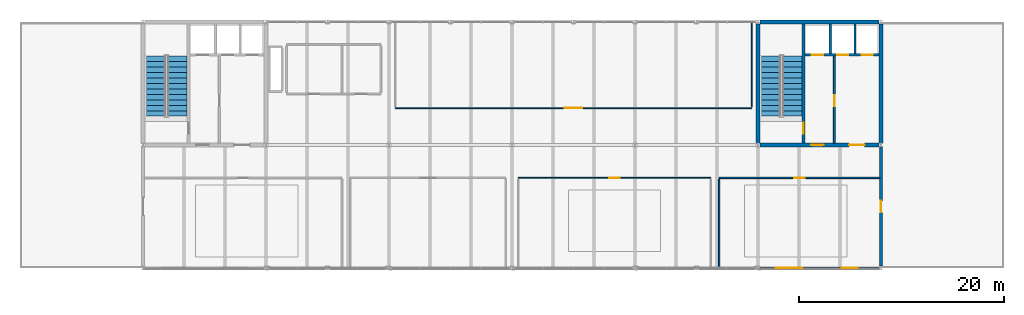
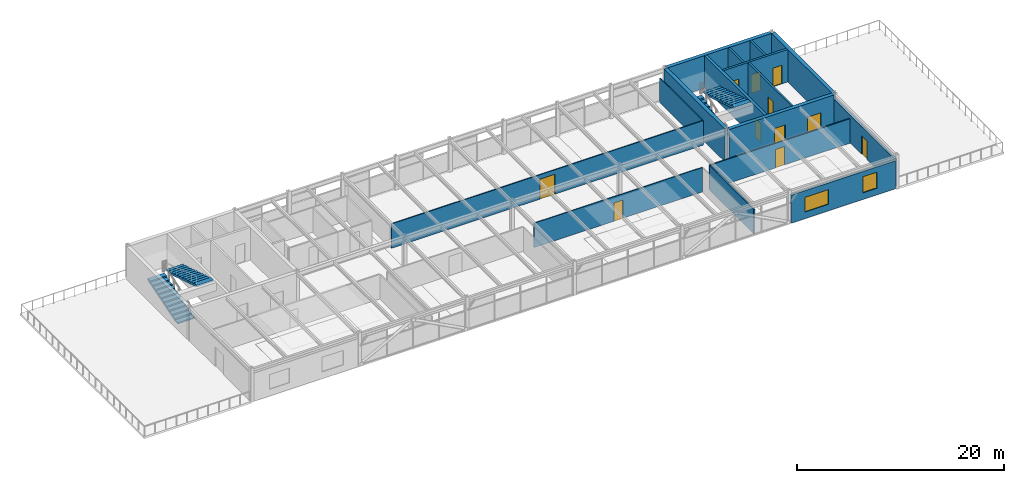
# One storey, part 28 of 32: 16 walls, 11 doors, 4 stair flights, 2 windows, 13 openings, 2 elements without a shape of their own.
"""IFC4 building model written with IfcOpenShell, lengths in metres."""

from ifc_helpers import new_model, si_unit, direction, frame, frame_2d, origin, place, context, subcontext, project, spatial, polyline, rectangle, outline, extrude, material, layer, layer_set, type_object, element, fill, aggregate, save


model = new_model("IFC4")

# Units and contexts
model_context = context("Model", 3, precision=1e-05, world=origin(), true_north=direction((0.0, 1.0)))
body_context = subcontext(model_context, "Body", "Model", "MODEL_VIEW")
ifc_project = project(units=[si_unit("LENGTHUNIT", "METRE"), si_unit("AREAUNIT", "SQUARE_METRE"), si_unit("VOLUMEUNIT", "CUBIC_METRE"), si_unit("PLANEANGLEUNIT", "RADIAN"), si_unit("MASSUNIT", "GRAM", prefix="KILO")], contexts=[model_context])

# Site, building, storey
site_placement = place(None, origin())
site = spatial("IfcSite", under=ifc_project, at=site_placement, CompositionType="ELEMENT")
building_placement = place(site_placement, origin())
building = spatial("IfcBuilding", under=site, at=building_placement, Name="Girod Span Mobility Hub", CompositionType="ELEMENT")
storey_placement = place(building_placement, frame((0.0, 0.0, 61.60009765625)))
storey = spatial("IfcBuildingStorey", under=building, at=storey_placement, Name="L15", CompositionType="ELEMENT", Elevation=61.60009765625)

# Wall, openings, doors
ifc_material_1 = material(Name="Concrete C40/50", Category="concrete")
ifc_layer_1 = layer(ifc_material_1, 0.39990234375)
ifc_layer_set_1 = layer_set([ifc_layer_1], Name="Concrete C40/50")
wall_type_1 = type_object("IfcWallType", Name="W-CW-400", PredefinedType="SHEAR", material=ifc_layer_set_1)
wall_1_placement = place(storey_placement, frame((108.181396484375, 57.0, 0.0), z_axis=(0.0, 0.0, 1.0), x_axis=(1.0, 0.0, 0.0)))
wall_1 = element("IfcWall", 1, at=wall_1_placement, inside=storey, type_object=wall_type_1, Name="Core C2 Shear Wall S L15", PredefinedType="SHEAR", context=body_context, shape_type="SweptSolid", body=[
    extrude(rectangle(XDim=11.63720703125, YDim=0.39990234375, at=frame_2d((5.818603515625, 0.0))), origin(), (0.0, 0.0, 1.0), 3.843017578125),
])
opening_1_placement = place(wall_1_placement, frame((5.01904296875, 0.0, 0.0)))
opening_1 = element("IfcOpeningElement", 2, at=opening_1_placement, cuts=wall_1, Name="Opening D-FL-C2-L15", PredefinedType="OPENING", context=body_context, shape_type="SweptSolid", body=[
    extrude(rectangle(XDim=1.199951171875, YDim=2.199951171875, at=frame_2d((0.60009765625, 1.10009765625))), frame((0.0, 0.21484375, 0.0), z_axis=(0.0, -1.0, 0.0), x_axis=(1.0, 0.0, 0.0)), (0.0, 0.0, 1.0), 0.429931640625),
])
opening_2_placement = place(wall_1_placement, frame((8.718994140625, 0.0, 0.0)))
opening_2 = element("IfcOpeningElement", 3, at=opening_2_placement, cuts=wall_1, Name="Opening D-LB-C2-L15", PredefinedType="OPENING", context=body_context, shape_type="SweptSolid", body=[
    extrude(rectangle(XDim=1.5, YDim=2.25, at=frame_2d((0.75, 1.125))), frame((0.0, 0.21484375, 0.0), z_axis=(0.0, -1.0, 0.0), x_axis=(1.0, 0.0, 0.0)), (0.0, 0.0, 1.0), 0.429931640625),
])
ifc_material_2 = material(Name="Fire-Rated Insulated Hollow Metal Steel", Category="steel")
door_type_1 = type_object("IfcDoorType", Name="DT-FD-03", OperationType="DOUBLE_DOOR_SINGLE_SWING", PredefinedType="DOOR", material=ifc_material_2)
door_1_placement = place(opening_2_placement, origin())
door_1 = element("IfcDoor", 4, at=door_1_placement, inside=storey, type_object=door_type_1, Name="Lift Lobby Entry Door C2 L15", OperationType="DOUBLE_DOOR_SINGLE_SWING", OverallHeight=2.25, OverallWidth=1.5, PredefinedType="DOOR", context=body_context, shape_type="SweptSolid", body=[
    extrude(rectangle(XDim=1.5, YDim=2.25, at=frame_2d((0.75, 1.125))), frame((0.0, 0.02490234375, 0.0), z_axis=(0.0, -1.0, 0.0), x_axis=(1.0, 0.0, 0.0)), (0.0, 0.0, 1.0), 0.050048828125),
])
fill(opening_2, door_1)
ifc_material_3 = material(Name="Fire-Rated Insulated Hollow Metal Steel", Category="steel")
door_type_2 = type_object("IfcDoorType", Name="DT-FD-05", OperationType="NOTDEFINED", PredefinedType="DOOR", material=ifc_material_3)
door_2_placement = place(opening_1_placement, origin())
door_2 = element("IfcDoor", 5, at=door_2_placement, inside=storey, type_object=door_type_2, Name="Firefighting Lobby Entry Door C2 L15", OperationType="SINGLE_SWING_RIGHT", OverallHeight=2.199951171875, OverallWidth=1.199951171875, PredefinedType="DOOR", context=body_context, shape_type="SweptSolid", body=[
    extrude(rectangle(XDim=1.199951171875, YDim=2.199951171875, at=frame_2d((0.60009765625, 1.10009765625))), frame((0.0, 0.02490234375, 0.0), z_axis=(0.0, -1.0, 0.0), x_axis=(1.0, 0.0, 0.0)), (0.0, 0.0, 1.0), 0.050048828125),
])
fill(opening_1, door_2)

# Walls
wall_2_placement = place(storey_placement, frame((108.181396484375, 69.0, 0.0), z_axis=(0.0, 0.0, 1.0), x_axis=(1.0, 0.0, 0.0)))
element("IfcWall", 6, at=wall_2_placement, inside=storey, type_object=wall_type_1, Name="Core C2 Shear Wall N L15", PredefinedType="SHEAR", context=body_context, shape_type="SweptSolid", body=[
    extrude(rectangle(XDim=11.63720703125, YDim=0.39990234375, at=frame_2d((5.818603515625, 0.0))), origin(), (0.0, 0.0, 1.0), 3.843017578125),
])
for number, where, z_axis, x_axis, name in (
    (7, (108.0, 57.175048828125, 0.0), (0.0, 0.0, 1.0), (0.0, 1.0, 0.0), "Core C2 Shear Wall W L15"),
    (8, (120.0, 57.175048828125, 0.0), (0.0, 0.0, 1.0), (0.0, 1.0, 0.0), "Core C2 Shear Wall E L15"),
):
    element("IfcWall", number, at=place(storey_placement, frame(where, z_axis=z_axis, x_axis=x_axis)), inside=storey, type_object=wall_type_1, Name=name, PredefinedType="SHEAR", context=body_context, shape_type="SweptSolid", body=[
        extrude(rectangle(XDim=11.64990234375, YDim=0.39990234375, at=frame_2d((5.824951171875, 0.0))), origin(), (0.0, 0.0, 1.0), 3.843017578125),
    ])

# Wall, openings, windows
ifc_material_4 = material(Name="Precast Architectural Concrete C40/50", Category="concrete")
ifc_layer_2 = layer(ifc_material_4, 0.235107421875)
ifc_layer_set_2 = layer_set([ifc_layer_2], Name="Precast Architectural Concrete C40/50")
wall_type_2 = type_object("IfcWallType", Name="W-EXT-235", PredefinedType="SOLIDWALL", material=ifc_layer_set_2)
wall_3_placement = place(storey_placement, frame((108.1826171875, 45.0, 0.0), z_axis=(0.0, 0.0, 1.0), x_axis=(1.0, 0.0, 0.0)))
wall_3 = element("IfcWall", 9, at=wall_3_placement, inside=storey, type_object=wall_type_2, Name="Office Insulated Facade Wall S-10 L15", PredefinedType="SOLIDWALL", context=body_context, shape_type="SweptSolid", body=[
    extrude(rectangle(XDim=11.634765625, YDim=0.235107421875, at=frame_2d((5.8173828125, 0.0))), origin(), (0.0, 0.0, 1.0), 3.2958984375),
])
opening_3_placement = place(wall_3_placement, frame((1.56005859375, 0.0, 0.780029296875)))
opening_3 = element("IfcOpeningElement", 10, at=opening_3_placement, cuts=wall_3, Name="Opening W-L15-S9A", PredefinedType="OPENING", context=body_context, shape_type="SweptSolid", body=[
    extrude(rectangle(XDim=2.580078125, YDim=1.739990234375, at=frame_2d((1.2900390625, 0.8701171875))), frame((0.0, 0.132568359375, 0.0), z_axis=(0.0, -1.0, 0.0), x_axis=(1.0, 0.0, 0.0)), (0.0, 0.0, 1.0), 0.26513671875),
])
opening_4_placement = place(wall_3_placement, frame((8.0048828125, 0.0, 0.780029296875)))
opening_4 = element("IfcOpeningElement", 11, at=opening_4_placement, cuts=wall_3, Name="Opening W-L15-S9B", PredefinedType="OPENING", context=body_context, shape_type="SweptSolid", body=[
    extrude(rectangle(XDim=1.56005859375, YDim=1.89990234375, at=frame_2d((0.780029296875, 0.949951171875))), frame((0.0, 0.132568359375, 0.0), z_axis=(0.0, -1.0, 0.0), x_axis=(1.0, 0.0, 0.0)), (0.0, 0.0, 1.0), 0.26513671875),
])
ifc_material_5 = material(Name="Double Low-E Insulated Glazing", Category="glass")
window_type_1 = type_object("IfcWindowType", Name="WN-38", PartitioningType="DOUBLE_PANEL_VERTICAL", PredefinedType="WINDOW", material=ifc_material_5)
window_1_placement = place(opening_3_placement, origin())
window_1 = element("IfcWindow", 12, at=window_1_placement, inside=storey, type_object=window_type_1, Name="Office Window WN-38", OverallHeight=1.739990234375, OverallWidth=2.580078125, PartitioningType="DOUBLE_PANEL_VERTICAL", PredefinedType="WINDOW", context=body_context, shape_type="SweptSolid", body=[
    extrude(rectangle(XDim=2.580078125, YDim=1.739990234375, at=frame_2d((1.2900390625, 0.8701171875))), frame((0.0, 0.030029296875, 0.0), z_axis=(0.0, -1.0, 0.0), x_axis=(1.0, 0.0, 0.0)), (0.0, 0.0, 1.0), 0.06005859375),
])
fill(opening_3, window_1)
ifc_material_6 = material(Name="Double Low-E Insulated Glazing", Category="glass")
window_type_2 = type_object("IfcWindowType", Name="WN-39", PartitioningType="SINGLE_PANEL", PredefinedType="WINDOW", material=ifc_material_6)
window_2_placement = place(opening_4_placement, origin())
window_2 = element("IfcWindow", 13, at=window_2_placement, inside=storey, type_object=window_type_2, Name="Office Window WN-39", OverallHeight=1.89990234375, OverallWidth=1.56005859375, PartitioningType="SINGLE_PANEL", PredefinedType="WINDOW", context=body_context, shape_type="SweptSolid", body=[
    extrude(rectangle(XDim=1.56005859375, YDim=1.89990234375, at=frame_2d((0.780029296875, 0.949951171875))), frame((0.0, 0.030029296875, 0.0), z_axis=(0.0, -1.0, 0.0), x_axis=(1.0, 0.0, 0.0)), (0.0, 0.0, 1.0), 0.06005859375),
])
fill(opening_4, window_2)

# Wall, opening, door
ifc_material_7 = material(Name="Precast Architectural Concrete C40/50", Category="concrete")
ifc_layer_3 = layer(ifc_material_7, 0.27001953125)
ifc_layer_set_3 = layer_set([ifc_layer_3], Name="Precast Architectural Concrete C40/50")
wall_type_3 = type_object("IfcWallType", Name="W-EXT-270", PredefinedType="SOLIDWALL", material=ifc_layer_set_3)
wall_4_placement = place(storey_placement, frame((120.0, 45.176025390625, 0.0), z_axis=(0.0, 0.0, 1.0), x_axis=(0.0, 1.0, 0.0)))
wall_4 = element("IfcWall", 14, at=wall_4_placement, inside=storey, type_object=wall_type_3, Name="L15 E Sky Terrace Wall", PredefinedType="SOLIDWALL", context=body_context, shape_type="SweptSolid", body=[
    extrude(rectangle(XDim=11.64794921875, YDim=0.27001953125, at=frame_2d((5.823974609375, 0.0))), origin(), (0.0, 0.0, 1.0), 3.2958984375),
])
opening_5_placement = place(wall_4_placement, frame((5.263916015625, 0.0, 0.0)))
opening_5 = element("IfcOpeningElement", 15, at=opening_5_placement, cuts=wall_4, Name="Opening D-L15-ET", PredefinedType="OPENING", context=body_context, shape_type="SweptSolid", body=[
    extrude(rectangle(XDim=1.1201171875, YDim=2.179931640625, at=frame_2d((0.56005859375, 1.08984375))), frame((0.0, 0.14990234375, 0.0), z_axis=(0.0, -1.0, 0.0), x_axis=(1.0, 0.0, 0.0)), (0.0, 0.0, 1.0), 0.300048828125),
])
ifc_material_8 = material(Name="Thermally Broken Anodised Aluminium", Category="aluminium")
door_type_3 = type_object("IfcDoorType", Name="DR-EXT-06", OperationType="NOTDEFINED", PredefinedType="DOOR", material=ifc_material_8)
door_3_placement = place(opening_5_placement, origin())
door_3 = element("IfcDoor", 16, at=door_3_placement, inside=storey, type_object=door_type_3, Name="L15 E Sky Terrace Door", OperationType="SINGLE_SWING_LEFT", OverallHeight=2.179931640625, OverallWidth=1.1201171875, PredefinedType="DOOR", context=body_context, shape_type="SweptSolid", body=[
    extrude(rectangle(XDim=1.1201171875, YDim=2.179931640625, at=frame_2d((0.56005859375, 1.08984375))), frame((0.0, 0.02490234375, 0.0), z_axis=(0.0, -1.0, 0.0), x_axis=(1.0, 0.0, 0.0)), (0.0, 0.0, 1.0), 0.050048828125),
])
fill(opening_5, door_3)

ifc_material_9 = material(Name="Concrete C40/50", Category="concrete")
ifc_layer_4 = layer(ifc_material_9, 0.18994140625)
ifc_layer_set_4 = layer_set([ifc_layer_4], Name="Concrete C40/50")
wall_type_4 = type_object("IfcWallType", Name="W-FL-190", PredefinedType="SOLIDWALL", material=ifc_layer_set_4)
wall_5_placement = place(storey_placement, frame((115.449951171875, 57.199951171875, 0.0), z_axis=(0.0, 0.0, 1.0), x_axis=(0.0, 1.0, 0.0)))
wall_5 = element("IfcWall", 17, at=wall_5_placement, inside=storey, type_object=wall_type_4, Name="Core C2 Firefighting Lobby Wall L15", PredefinedType="SOLIDWALL", context=body_context, shape_type="SweptSolid", body=[
    extrude(rectangle(XDim=8.47998046875, YDim=0.18994140625, at=frame_2d((4.239990234375, 0.0))), origin(), (0.0, 0.0, 1.0), 3.8330078125),
])
opening_6_placement = place(wall_5_placement, frame((3.60009765625, 0.0, 0.0)))
opening_6 = element("IfcOpeningElement", 18, at=opening_6_placement, cuts=wall_5, Name="Opening D-FLX-C2-L15", PredefinedType="OPENING", context=body_context, shape_type="SweptSolid", body=[
    extrude(rectangle(XDim=1.0400390625, YDim=2.179931640625, at=frame_2d((0.52001953125, 1.08984375))), frame((0.0, 0.10986328125, 0.0), z_axis=(0.0, -1.0, 0.0), x_axis=(1.0, 0.0, 0.0)), (0.0, 0.0, 1.0), 0.219970703125),
])
ifc_material_10 = material(Name="Fire-Rated Insulated Hollow Metal Steel", Category="steel")
door_type_4 = type_object("IfcDoorType", Name="DT-FD-02", OperationType="NOTDEFINED", PredefinedType="DOOR", material=ifc_material_10)
door_4_placement = place(opening_6_placement, origin())
door_4 = element("IfcDoor", 19, at=door_4_placement, inside=storey, type_object=door_type_4, Name="Firefighting Lobby Interconnect Door C2 L15", OperationType="SINGLE_SWING_RIGHT", OverallHeight=2.179931640625, OverallWidth=1.0400390625, PredefinedType="DOOR", context=body_context, shape_type="SweptSolid", body=[
    extrude(rectangle(XDim=1.0400390625, YDim=2.179931640625, at=frame_2d((0.52001953125, 1.08984375))), frame((0.0, 0.02490234375, 0.0), z_axis=(0.0, -1.0, 0.0), x_axis=(1.0, 0.0, 0.0)), (0.0, 0.0, 1.0), 0.050048828125),
])
fill(opening_6, door_4)

ifc_material_11 = material(Name="Fire-Rated Gypsum Board on Metal Studs", Category="gypsum")
ifc_layer_5 = layer(ifc_material_11, 0.097900390625)
ifc_layer_set_5 = layer_set([ifc_layer_5], Name="Fire-Rated Gypsum Board on Metal Studs")
wall_type_5 = type_object("IfcWallType", Name="W-PT-098", PredefinedType="PARTITIONING", material=ifc_layer_set_5)
wall_6_placement = place(storey_placement, frame((84.60009765625, 53.800048828125, 0.0), z_axis=(0.0, 0.0, 1.0), x_axis=(1.0, 0.0, 0.0)))
wall_6 = element("IfcWall", 20, at=wall_6_placement, inside=storey, type_object=wall_type_5, Name="Planning Studio Crown L15 Partition N", PredefinedType="PARTITIONING", context=body_context, shape_type="SweptSolid", body=[
    extrude(rectangle(XDim=18.7998046875, YDim=0.097900390625, at=frame_2d((9.39990234375, 0.0))), origin(), (0.0, 0.0, 1.0), 2.8798828125),
])
opening_7_placement = place(wall_6_placement, frame((8.905029296875, 0.0, 0.0)))
opening_7 = element("IfcOpeningElement", 21, at=opening_7_placement, cuts=wall_6, Name="Opening D-L15-OFF-CE1", PredefinedType="OPENING", context=body_context, shape_type="SweptSolid", body=[
    extrude(rectangle(XDim=0.989990234375, YDim=2.14990234375, at=frame_2d((0.4951171875, 1.074951171875))), frame((0.0, 0.06396484375, 0.0), z_axis=(0.0, -1.0, 0.0), x_axis=(1.0, 0.0, 0.0)), (0.0, 0.0, 1.0), 0.1279296875),
])
ifc_material_12 = material(Name="Solid-Core Architectural Timber", Category="wood")
door_type_5 = type_object("IfcDoorType", Name="DT-NR-03", OperationType="NOTDEFINED", PredefinedType="DOOR", material=ifc_material_12)
door_5_placement = place(opening_7_placement, origin())
door_5 = element("IfcDoor", 22, at=door_5_placement, inside=storey, type_object=door_type_5, Name="Planning Studio Crown L15 Door", OperationType="SINGLE_SWING_LEFT", OverallHeight=2.14990234375, OverallWidth=0.989990234375, PredefinedType="DOOR", context=body_context, shape_type="SweptSolid", body=[
    extrude(rectangle(XDim=0.989990234375, YDim=2.14990234375, at=frame_2d((0.4951171875, 1.074951171875))), frame((0.0, 0.02490234375, 0.0), z_axis=(0.0, -1.0, 0.0), x_axis=(1.0, 0.0, 0.0)), (0.0, 0.0, 1.0), 0.050048828125),
])
fill(opening_7, door_5)

ifc_material_13 = material(Name="Fire-Rated Gypsum Board on Metal Studs", Category="gypsum")
ifc_layer_6 = layer(ifc_material_13, 0.114990234375)
ifc_layer_set_6 = layer_set([ifc_layer_6], Name="Fire-Rated Gypsum Board on Metal Studs")
wall_type_6 = type_object("IfcWallType", Name="W-PT-115", PredefinedType="PARTITIONING", material=ifc_layer_set_6)
wall_7_placement = place(storey_placement, frame((72.60009765625, 60.60009765625, 0.0), z_axis=(0.0, 0.0, 1.0), x_axis=(1.0, 0.0, 0.0)))
wall_7 = element("IfcWall", 23, at=wall_7_placement, inside=storey, type_object=wall_type_6, Name="Executive Studio North L15 Partition S", PredefinedType="PARTITIONING", context=body_context, shape_type="SweptSolid", body=[
    extrude(rectangle(XDim=34.7998046875, YDim=0.114990234375, at=frame_2d((17.39990234375, 0.0))), origin(), (0.0, 0.0, 1.0), 2.8798828125),
])
opening_8_placement = place(wall_7_placement, frame((16.56494140625, 0.0, 0.0)))
opening_8 = element("IfcOpeningElement", 24, at=opening_8_placement, cuts=wall_7, Name="Opening D-L15-OFF-CN", PredefinedType="OPENING", context=body_context, shape_type="SweptSolid", body=[
    extrude(rectangle(XDim=1.669921875, YDim=2.35009765625, at=frame_2d((0.8349609375, 1.175048828125))), frame((0.0, 0.072509765625, 0.0), z_axis=(0.0, -1.0, 0.0), x_axis=(1.0, 0.0, 0.0)), (0.0, 0.0, 1.0), 0.14501953125),
])
ifc_material_14 = material(Name="Solid-Core Architectural Timber", Category="wood")
door_type_6 = type_object("IfcDoorType", Name="DT-NR-16", OperationType="DOUBLE_DOOR_SINGLE_SWING", PredefinedType="DOOR", material=ifc_material_14)
door_6_placement = place(opening_8_placement, origin())
door_6 = element("IfcDoor", 25, at=door_6_placement, inside=storey, type_object=door_type_6, Name="Executive Studio North L15 Door", OperationType="DOUBLE_DOOR_SINGLE_SWING", OverallHeight=2.35009765625, OverallWidth=1.669921875, PredefinedType="DOOR", context=body_context, shape_type="SweptSolid", body=[
    extrude(rectangle(XDim=1.669921875, YDim=2.35009765625, at=frame_2d((0.8349609375, 1.175048828125))), frame((0.0, 0.02490234375, 0.0), z_axis=(0.0, -1.0, 0.0), x_axis=(1.0, 0.0, 0.0)), (0.0, 0.0, 1.0), 0.050048828125),
])
fill(opening_8, door_6)

# Wall
wall_8_placement = place(storey_placement, frame((107.39990234375, 60.760009765625, 0.0), z_axis=(0.0, 0.0, 1.0), x_axis=(0.0, 1.0, 0.0)))
element("IfcWall", 26, at=wall_8_placement, inside=storey, type_object=wall_type_6, Name="Executive Studio North L15 Partition E", PredefinedType="PARTITIONING", context=body_context, shape_type="SweptSolid", body=[
    extrude(rectangle(XDim=8.10009765625, YDim=0.114990234375, at=frame_2d((4.050048828125, 0.0))), origin(), (0.0, 0.0, 1.0), 2.8798828125),
])

# Wall, opening, door
ifc_material_15 = material(Name="Fire-Rated Gypsum Board on Metal Studs", Category="gypsum")
ifc_layer_7 = layer(ifc_material_15, 0.139892578125)
ifc_layer_set_7 = layer_set([ifc_layer_7], Name="Fire-Rated Gypsum Board on Metal Studs")
wall_type_7 = type_object("IfcWallType", Name="W-PT-140", PredefinedType="PARTITIONING", material=ifc_layer_set_7)
wall_9_placement = place(storey_placement, frame((104.199951171875, 53.800048828125, 0.0), z_axis=(0.0, 0.0, 1.0), x_axis=(1.0, 0.0, 0.0)))
wall_9 = element("IfcWall", 27, at=wall_9_placement, inside=storey, type_object=wall_type_7, Name="Office Suite East L15 Partition N", PredefinedType="PARTITIONING", context=body_context, shape_type="SweptSolid", body=[
    extrude(rectangle(XDim=15.66015625, YDim=0.139892578125, at=frame_2d((7.830078125, 0.0))), origin(), (0.0, 0.0, 1.0), 2.8798828125),
])
opening_9_placement = place(wall_9_placement, frame((7.31494140625, 0.0, 0.0)))
opening_9 = element("IfcOpeningElement", 28, at=opening_9_placement, cuts=wall_9, Name="Opening D-L15-OFF-CE2", PredefinedType="OPENING", context=body_context, shape_type="SweptSolid", body=[
    extrude(rectangle(XDim=1.030029296875, YDim=2.169921875, at=frame_2d((0.51513671875, 1.0849609375))), frame((0.0, 0.0849609375, 0.0), z_axis=(0.0, -1.0, 0.0), x_axis=(1.0, 0.0, 0.0)), (0.0, 0.0, 1.0), 0.169921875),
])
ifc_material_16 = material(Name="Solid-Core Architectural Timber", Category="wood")
door_type_7 = type_object("IfcDoorType", Name="DT-NR-04", OperationType="NOTDEFINED", PredefinedType="DOOR", material=ifc_material_16)
door_7_placement = place(opening_9_placement, origin())
door_7 = element("IfcDoor", 29, at=door_7_placement, inside=storey, type_object=door_type_7, Name="Office Suite East L15 Door", OperationType="SINGLE_SWING_RIGHT", OverallHeight=2.169921875, OverallWidth=1.030029296875, PredefinedType="DOOR", context=body_context, shape_type="SweptSolid", body=[
    extrude(rectangle(XDim=1.030029296875, YDim=2.169921875, at=frame_2d((0.51513671875, 1.0849609375))), frame((0.0, 0.02490234375, 0.0), z_axis=(0.0, -1.0, 0.0), x_axis=(1.0, 0.0, 0.0)), (0.0, 0.0, 1.0), 0.050048828125),
])
fill(opening_9, door_7)

# Walls
wall_10_placement = place(storey_placement, frame((104.199951171875, 45.139892578125, 0.0), z_axis=(0.0, 0.0, 1.0), x_axis=(0.0, 1.0, 0.0)))
element("IfcWall", 30, at=wall_10_placement, inside=storey, type_object=wall_type_7, Name="Office Suite East L15 Partition W", PredefinedType="PARTITIONING", context=body_context, shape_type="SweptSolid", body=[
    extrude(rectangle(XDim=8.5, YDim=0.139892578125, at=frame_2d((4.25, 0.0))), origin(), (0.0, 0.0, 1.0), 2.8798828125),
])
ifc_material_17 = material(Name="Concrete C40/50", Category="concrete")
ifc_layer_8 = layer(ifc_material_17, 0.199951171875)
ifc_layer_set_8 = layer_set([ifc_layer_8], Name="Concrete C40/50")
wall_type_8 = type_object("IfcWallType", Name="W-SH-200", PredefinedType="SOLIDWALL", material=ifc_layer_set_8)
for number, where, z_axis, x_axis, name in (
    (31, (115.050048828125, 65.919921875, 0.0), (0.0, 0.0, 1.0), (0.0, 1.0, 0.0), "Core C2 Shaft Divider 1 L15"),
    (32, (117.47998046875, 65.919921875, 0.0), (0.0, 0.0, 1.0), (0.0, 1.0, 0.0), "Core C2 Shaft Divider 2 L15"),
):
    element("IfcWall", number, at=place(storey_placement, frame(where, z_axis=z_axis, x_axis=x_axis)), inside=storey, type_object=wall_type_8, Name=name, PredefinedType="SOLIDWALL", context=body_context, shape_type="SweptSolid", body=[
        extrude(rectangle(XDim=2.880126953125, YDim=0.199951171875, at=frame_2d((1.43994140625, 0.0))), origin(), (0.0, 0.0, 1.0), 3.8330078125),
    ])

# Wall, openings, doors
ifc_material_18 = material(Name="Concrete C40/50", Category="concrete")
ifc_layer_9 = layer(ifc_material_18, 0.25)
ifc_layer_set_9 = layer_set([ifc_layer_9], Name="Concrete C40/50")
wall_type_9 = type_object("IfcWallType", Name="W-SH-250", PredefinedType="SOLIDWALL", material=ifc_layer_set_9)
wall_11_placement = place(storey_placement, frame((112.596923828125, 65.800048828125, 0.0), z_axis=(0.0, 0.0, 1.0), x_axis=(1.0, 0.0, 0.0)))
wall_11 = element("IfcWall", 33, at=wall_11_placement, inside=storey, type_object=wall_type_9, Name="Core C2 Hoistway Front Wall L15", PredefinedType="SOLIDWALL", context=body_context, shape_type="SweptSolid", body=[
    extrude(rectangle(XDim=7.2060546875, YDim=0.25, at=frame_2d((3.60302734375, 0.0))), origin(), (0.0, 0.0, 1.0), 3.843017578125),
])
opening_10_placement = place(wall_11_placement, frame((0.653076171875, 0.0, 0.0)))
opening_10 = element("IfcOpeningElement", 34, at=opening_10_placement, cuts=wall_11, Name="Opening LD-FL-2-L15", PredefinedType="OPENING", context=body_context, shape_type="SweptSolid", body=[
    extrude(rectangle(XDim=1.10009765625, YDim=2.239990234375, at=frame_2d((0.550048828125, 1.1201171875))), frame((0.0, 0.139892578125, 0.0), z_axis=(0.0, -1.0, 0.0), x_axis=(1.0, 0.0, 0.0)), (0.0, 0.0, 1.0), 0.280029296875),
])
opening_11_placement = place(wall_11_placement, frame((3.153076171875, 0.0, 0.0)))
opening_11 = element("IfcOpeningElement", 35, at=opening_11_placement, cuts=wall_11, Name="Opening LD-LP-3-L15", PredefinedType="OPENING", context=body_context, shape_type="SweptSolid", body=[
    extrude(rectangle(XDim=1.050048828125, YDim=2.199951171875, at=frame_2d((0.52490234375, 1.10009765625))), frame((0.0, 0.139892578125, 0.0), z_axis=(0.0, -1.0, 0.0), x_axis=(1.0, 0.0, 0.0)), (0.0, 0.0, 1.0), 0.280029296875),
])
opening_12_placement = place(wall_11_placement, frame((5.528076171875, 0.0, 0.0)))
opening_12 = element("IfcOpeningElement", 36, at=opening_12_placement, cuts=wall_11, Name="Opening LD-LP-4-L15", PredefinedType="OPENING", context=body_context, shape_type="SweptSolid", body=[
    extrude(rectangle(XDim=1.050048828125, YDim=2.199951171875, at=frame_2d((0.52490234375, 1.10009765625))), frame((0.0, 0.139892578125, 0.0), z_axis=(0.0, -1.0, 0.0), x_axis=(1.0, 0.0, 0.0)), (0.0, 0.0, 1.0), 0.280029296875),
])
ifc_material_19 = material(Name="Brushed Stainless Steel Grade 304", Category="steel")
door_type_8 = type_object("IfcDoorType", Name="LD-FL-110", OperationType="SLIDING_TO_LEFT", PredefinedType="USERDEFINED", material=ifc_material_19)
door_8_placement = place(opening_10_placement, origin())
door_8 = element("IfcDoor", 37, at=door_8_placement, inside=storey, type_object=door_type_8, Name="Lift FL-2 Sliding Landing Door L15", ObjectType="LANDING DOOR", OperationType="SLIDING_TO_LEFT", OverallHeight=2.239990234375, OverallWidth=1.10009765625, PredefinedType="USERDEFINED", context=body_context, shape_type="SweptSolid", body=[
    extrude(rectangle(XDim=1.10009765625, YDim=2.239990234375, at=frame_2d((0.550048828125, 1.1201171875))), frame((0.0, 0.02490234375, 0.0), z_axis=(0.0, -1.0, 0.0), x_axis=(1.0, 0.0, 0.0)), (0.0, 0.0, 1.0), 0.050048828125),
])
fill(opening_10, door_8)
ifc_material_20 = material(Name="Brushed Stainless Steel Grade 304", Category="steel")
door_type_9 = type_object("IfcDoorType", Name="LD-LP-105", OperationType="SLIDING_TO_LEFT", PredefinedType="USERDEFINED", material=ifc_material_20)
door_9_placement = place(opening_11_placement, origin())
door_9 = element("IfcDoor", 38, at=door_9_placement, inside=storey, type_object=door_type_9, Name="Lift LP-3 Sliding Landing Door L15", ObjectType="LANDING DOOR", OperationType="SLIDING_TO_LEFT", OverallHeight=2.199951171875, OverallWidth=1.050048828125, PredefinedType="USERDEFINED", context=body_context, shape_type="SweptSolid", body=[
    extrude(rectangle(XDim=1.050048828125, YDim=2.199951171875, at=frame_2d((0.52490234375, 1.10009765625))), frame((0.0, 0.02490234375, 0.0), z_axis=(0.0, -1.0, 0.0), x_axis=(1.0, 0.0, 0.0)), (0.0, 0.0, 1.0), 0.050048828125),
])
fill(opening_11, door_9)
door_10_placement = place(opening_12_placement, origin())
door_10 = element("IfcDoor", 39, at=door_10_placement, inside=storey, type_object=door_type_9, Name="Lift LP-4 Sliding Landing Door L15", ObjectType="LANDING DOOR", OperationType="SLIDING_TO_LEFT", OverallHeight=2.199951171875, OverallWidth=1.050048828125, PredefinedType="USERDEFINED", context=body_context, shape_type="SweptSolid", body=[
    extrude(rectangle(XDim=1.050048828125, YDim=2.199951171875, at=frame_2d((0.52490234375, 1.10009765625))), frame((0.0, 0.02490234375, 0.0), z_axis=(0.0, -1.0, 0.0), x_axis=(1.0, 0.0, 0.0)), (0.0, 0.0, 1.0), 0.050048828125),
])
fill(opening_12, door_10)

# Wall, opening, door
ifc_material_21 = material(Name="Concrete C40/50", Category="concrete")
ifc_layer_10 = layer(ifc_material_21, 0.300048828125)
ifc_layer_set_10 = layer_set([ifc_layer_10], Name="Concrete C40/50")
wall_type_10 = type_object("IfcWallType", Name="W-SH-300", PredefinedType="SHEAR", material=ifc_layer_set_10)
wall_12_placement = place(storey_placement, frame((112.449951171875, 57.197021484375, 0.0), z_axis=(0.0, 0.0, 1.0), x_axis=(0.0, 1.0, 0.0)))
wall_12 = element("IfcWall", 40, at=wall_12_placement, inside=storey, type_object=wall_type_10, Name="Core C2 Stairwell Spine Wall L15", PredefinedType="SHEAR", context=body_context, shape_type="SweptSolid", body=[
    extrude(rectangle(XDim=11.60595703125, YDim=0.300048828125, at=frame_2d((5.802978515625, 0.0))), origin(), (0.0, 0.0, 1.0), 3.843017578125),
])
opening_13_placement = place(wall_12_placement, frame((0.89990234375, 0.0, 0.0)))
opening_13 = element("IfcOpeningElement", 41, at=opening_13_placement, cuts=wall_12, Name="Opening D-ST-2-L15", PredefinedType="OPENING", context=body_context, shape_type="SweptSolid", body=[
    extrude(rectangle(XDim=1.10009765625, YDim=2.199951171875, at=frame_2d((0.550048828125, 1.10009765625))), frame((0.0, 0.1650390625, 0.0), z_axis=(0.0, -1.0, 0.0), x_axis=(1.0, 0.0, 0.0)), (0.0, 0.0, 1.0), 0.330078125),
])
ifc_material_22 = material(Name="Fire-Rated Insulated Hollow Metal Steel", Category="steel")
door_type_10 = type_object("IfcDoorType", Name="DT-FD-01", OperationType="NOTDEFINED", PredefinedType="DOOR", material=ifc_material_22)
door_11_placement = place(opening_13_placement, origin())
door_11 = element("IfcDoor", 42, at=door_11_placement, inside=storey, type_object=door_type_10, Name="Stair ST-2 Fire Door L15", OperationType="SINGLE_SWING_LEFT", OverallHeight=2.199951171875, OverallWidth=1.10009765625, PredefinedType="DOOR", context=body_context, shape_type="SweptSolid", body=[
    extrude(rectangle(XDim=1.10009765625, YDim=2.199951171875, at=frame_2d((0.550048828125, 1.10009765625))), frame((0.0, 0.02490234375, 0.0), z_axis=(0.0, -1.0, 0.0), x_axis=(1.0, 0.0, 0.0)), (0.0, 0.0, 1.0), 0.050048828125),
])
fill(opening_13, door_11)

# Stair, stair flights
ifc_material_23 = material(Name="Concrete C40/50", Category="concrete")
stair_type = type_object("IfcStairType", Name="STR-4000-W1860", PredefinedType="HALF_TURN_STAIR", material=ifc_material_23)
stair_1_placement = place(storey_placement, origin())
stair_1 = element("IfcStair", 43, at=stair_1_placement, inside=storey, type_object=stair_type, Name="Exit Stair ST-1 L15", PredefinedType="HALF_TURN_STAIR")
ifc_material_24 = material(Name="Concrete C40/50", Category="concrete")
stair_flight_type = type_object("IfcStairFlightType", Name="STF-2000-W1860", PredefinedType="STRAIGHT", material=ifc_material_24)
stair_flight_1_placement = place(storey_placement, frame((49.25, 59.81005859375, 0.0), z_axis=(0.0, 0.0, 1.0), x_axis=(0.0, 1.0, 0.0)))
stair_flight_1 = element("IfcStairFlight", 44, at=stair_flight_1_placement, type_object=stair_flight_type, Name="Stair ST-1 Flight 1 L15", NumberOfRisers=12, NumberOfTreads=11, PredefinedType="STRAIGHT", RiserHeight=0.16667, TreadLength=0.53455, context=body_context, shape_type="SweptSolid", body=[
    extrude(outline(polyline([(0.0, 0.0), (0.0, 0.166748046875), (0.53466796875, 0.166748046875), (0.53466796875, 0.333251953125), (1.069091796875, 0.333251953125), (1.069091796875, 0.5), (1.603759765625, 0.5), (1.603759765625, 0.666748046875), (2.13818359375, 0.666748046875), (2.13818359375, 0.833251953125), (2.6728515625, 0.833251953125), (2.6728515625, 1.0), (3.207275390625, 1.0), (3.207275390625, 1.166748046875), (3.741943359375, 1.166748046875), (3.741943359375, 1.333251953125), (4.2763671875, 1.333251953125), (4.2763671875, 1.5), (4.81103515625, 1.5), (4.81103515625, 1.666748046875), (5.345458984375, 1.666748046875), (5.345458984375, 1.833251953125), (5.880126953125, 1.833251953125), (5.880126953125, 2.0), (5.880126953125, 1.634521484375), (0.63818359375, 0.0), (0.0, 0.0)])), frame((0.0, 0.93017578125, 0.0), z_axis=(0.0, -1.0, 0.0), x_axis=(1.0, 0.0, 0.0)), (0.0, 0.0, 1.0), 1.860107421875),
])
stair_flight_2_placement = place(storey_placement, frame((51.35009765625, 65.68994140625, 2.0), z_axis=(0.0, 0.0, 1.0), x_axis=(0.0, -1.0, 0.0)))
stair_flight_2 = element("IfcStairFlight", 45, at=stair_flight_2_placement, type_object=stair_flight_type, Name="Stair ST-1 Flight 2 L15", NumberOfRisers=12, NumberOfTreads=11, PredefinedType="STRAIGHT", RiserHeight=0.16667, TreadLength=0.53455, context=body_context, shape_type="SweptSolid", body=[
    extrude(outline(polyline([(0.0, 0.0), (0.0, 0.166748046875), (0.53466796875, 0.166748046875), (0.53466796875, 0.333251953125), (1.069091796875, 0.333251953125), (1.069091796875, 0.5), (1.603759765625, 0.5), (1.603759765625, 0.666748046875), (2.13818359375, 0.666748046875), (2.13818359375, 0.833251953125), (2.6728515625, 0.833251953125), (2.6728515625, 1.0), (3.207275390625, 1.0), (3.207275390625, 1.166748046875), (3.741943359375, 1.166748046875), (3.741943359375, 1.333251953125), (4.2763671875, 1.333251953125), (4.2763671875, 1.5), (4.81103515625, 1.5), (4.81103515625, 1.666748046875), (5.345458984375, 1.666748046875), (5.345458984375, 1.833251953125), (5.880126953125, 1.833251953125), (5.880126953125, 2.0), (5.880126953125, 1.634521484375), (0.63818359375, 0.0), (0.0, 0.0)])), frame((0.0, 0.93017578125, 0.0), z_axis=(0.0, -1.0, 0.0), x_axis=(1.0, 0.0, 0.0)), (0.0, 0.0, 1.0), 1.860107421875),
])
aggregate(stair_1, [stair_flight_1, stair_flight_2])

stair_2_placement = place(storey_placement, origin())
stair_2 = element("IfcStair", 46, at=stair_2_placement, inside=storey, type_object=stair_type, Name="Exit Stair ST-2 L15", PredefinedType="HALF_TURN_STAIR")
stair_flight_3_placement = place(storey_placement, frame((109.25, 59.81005859375, 0.0), z_axis=(0.0, 0.0, 1.0), x_axis=(0.0, 1.0, 0.0)))
stair_flight_3 = element("IfcStairFlight", 47, at=stair_flight_3_placement, type_object=stair_flight_type, Name="Stair ST-2 Flight 1 L15", NumberOfRisers=12, NumberOfTreads=11, PredefinedType="STRAIGHT", RiserHeight=0.16667, TreadLength=0.53455, context=body_context, shape_type="SweptSolid", body=[
    extrude(outline(polyline([(0.0, 0.0), (0.0, 0.166748046875), (0.53466796875, 0.166748046875), (0.53466796875, 0.333251953125), (1.069091796875, 0.333251953125), (1.069091796875, 0.5), (1.603759765625, 0.5), (1.603759765625, 0.666748046875), (2.13818359375, 0.666748046875), (2.13818359375, 0.833251953125), (2.6728515625, 0.833251953125), (2.6728515625, 1.0), (3.207275390625, 1.0), (3.207275390625, 1.166748046875), (3.741943359375, 1.166748046875), (3.741943359375, 1.333251953125), (4.2763671875, 1.333251953125), (4.2763671875, 1.5), (4.81103515625, 1.5), (4.81103515625, 1.666748046875), (5.345458984375, 1.666748046875), (5.345458984375, 1.833251953125), (5.880126953125, 1.833251953125), (5.880126953125, 2.0), (5.880126953125, 1.634521484375), (0.63818359375, 0.0), (0.0, 0.0)])), frame((0.0, 0.93017578125, 0.0), z_axis=(0.0, -1.0, 0.0), x_axis=(1.0, 0.0, 0.0)), (0.0, 0.0, 1.0), 1.860107421875),
])
stair_flight_4_placement = place(storey_placement, frame((111.35009765625, 65.68994140625, 2.0), z_axis=(0.0, 0.0, 1.0), x_axis=(0.0, -1.0, 0.0)))
stair_flight_4 = element("IfcStairFlight", 48, at=stair_flight_4_placement, type_object=stair_flight_type, Name="Stair ST-2 Flight 2 L15", NumberOfRisers=12, NumberOfTreads=11, PredefinedType="STRAIGHT", RiserHeight=0.16667, TreadLength=0.53455, context=body_context, shape_type="SweptSolid", body=[
    extrude(outline(polyline([(0.0, 0.0), (0.0, 0.166748046875), (0.53466796875, 0.166748046875), (0.53466796875, 0.333251953125), (1.069091796875, 0.333251953125), (1.069091796875, 0.5), (1.603759765625, 0.5), (1.603759765625, 0.666748046875), (2.13818359375, 0.666748046875), (2.13818359375, 0.833251953125), (2.6728515625, 0.833251953125), (2.6728515625, 1.0), (3.207275390625, 1.0), (3.207275390625, 1.166748046875), (3.741943359375, 1.166748046875), (3.741943359375, 1.333251953125), (4.2763671875, 1.333251953125), (4.2763671875, 1.5), (4.81103515625, 1.5), (4.81103515625, 1.666748046875), (5.345458984375, 1.666748046875), (5.345458984375, 1.833251953125), (5.880126953125, 1.833251953125), (5.880126953125, 2.0), (5.880126953125, 1.634521484375), (0.63818359375, 0.0), (0.0, 0.0)])), frame((0.0, 0.93017578125, 0.0), z_axis=(0.0, -1.0, 0.0), x_axis=(1.0, 0.0, 0.0)), (0.0, 0.0, 1.0), 1.860107421875),
])
aggregate(stair_2, [stair_flight_3, stair_flight_4])

save(model, "model.ifc")
